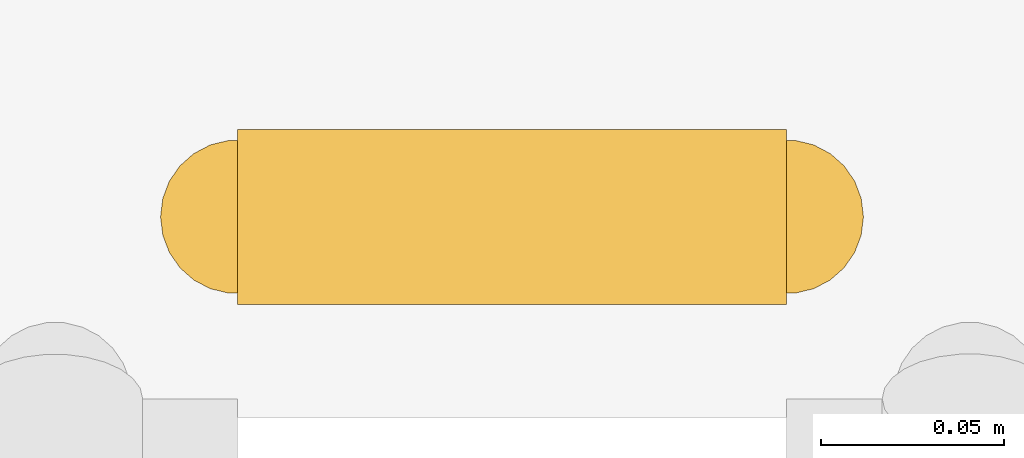
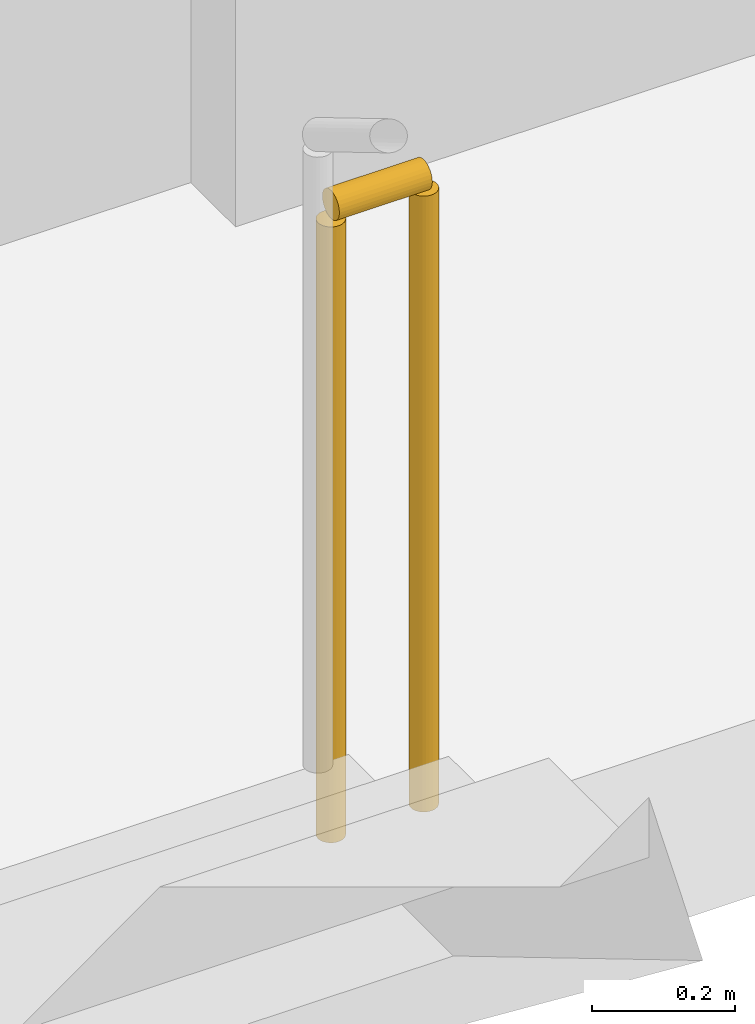
# One storey, part 12 of 16: 1 railing.
"""IFC4 building model written with IfcOpenShell, lengths in metres."""

from ifc_helpers import new_model, si_unit, direction, frame, origin, origin_2d, place, context, subcontext, project, spatial, circle, extrude, material, type_object, element, save


model = new_model("IFC4")

# Units and contexts
model_context = context("Model", 3, precision=1e-05, world=origin(), true_north=direction((0.0, 1.0)))
body_context = subcontext(model_context, "Body", "Model", "MODEL_VIEW")
ifc_project = project(units=[si_unit("LENGTHUNIT", "METRE"), si_unit("AREAUNIT", "SQUARE_METRE"), si_unit("VOLUMEUNIT", "CUBIC_METRE"), si_unit("PLANEANGLEUNIT", "RADIAN"), si_unit("MASSUNIT", "GRAM", prefix="KILO")], contexts=[model_context])

# Site, building, storey
site_placement = place(None, origin())
site = spatial("IfcSite", under=ifc_project, at=site_placement, CompositionType="ELEMENT")
building_placement = place(site_placement, origin())
building = spatial("IfcBuilding", under=site, at=building_placement, Name="Mopane Tessera Tower", CompositionType="ELEMENT")
storey_placement = place(building_placement, frame((0.0, 0.0, 321.39990234375)))
storey = spatial("IfcBuildingStorey", under=building, at=storey_placement, Name="L70", CompositionType="ELEMENT", Elevation=321.39990234375)

# Railing
ifc_material = material(Name="Powder-coated steel balustrade", Category="steel")
railing_type = type_object("IfcRailingType", Name="Escape stair guard 1100 mm", PredefinedType="GUARDRAIL", material=ifc_material)
railing_placement = place(storey_placement, frame((-12.35009765625, -1.35009765625, 0.0)))
element("IfcRailing", 1, at=railing_placement, inside=storey, type_object=railing_type, Name="L70 ST1 stair guard 3", PredefinedType="GUARDRAIL", context=body_context, shape_type="SweptSolid", body=[
    extrude(circle(Radius=0.02392578125, at=origin_2d()), frame((0.0, 0.0, 1.076171875), z_axis=(1.0, 0.0, 0.0), x_axis=(0.0, 1.0, 0.0)), (0.0, 0.0, 1.0), 0.150146484375),
    extrude(circle(Radius=0.02099609375, at=origin_2d()), origin(), (0.0, 0.0, 1.0), 1.052001953125),
    extrude(circle(Radius=0.02099609375, at=origin_2d()), frame((0.150146484375, 0.0, 0.0)), (0.0, 0.0, 1.0), 1.052001953125),
])

save(model, "model.ifc")
